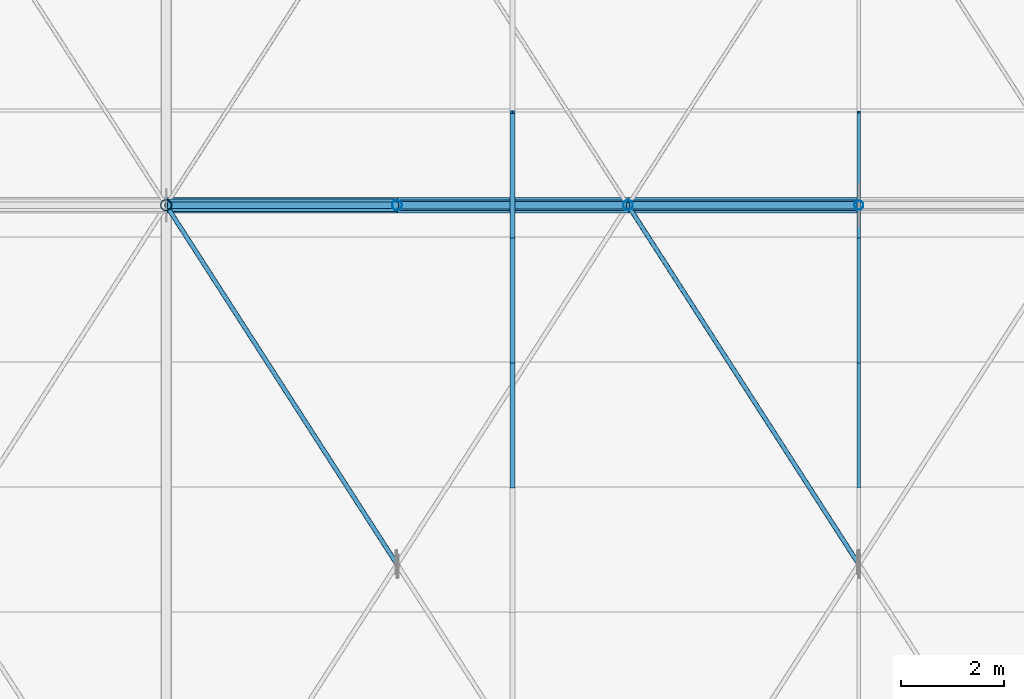
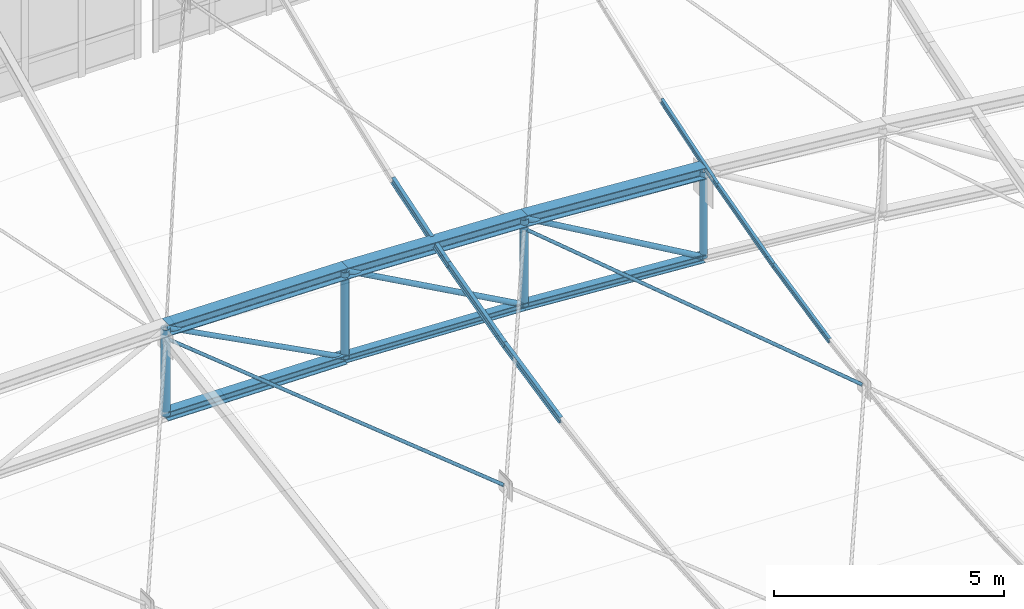
# One storey, part 182 of 262: 21 members.
"""IFC4 building model written with IfcOpenShell, lengths in metres."""

from ifc_helpers import new_model, si_unit, derived_unit, direction, frame, origin, origin_2d, place, context, subcontext, project, spatial, hollow_circle, i_section, extrude, material, material_profile, profile_set, type_object, element, save


model = new_model("IFC4")

# Units and contexts
model_context = context("Model", 3, precision=1e-05, world=origin(), true_north=direction((0.0, 1.0)))
body_context = subcontext(model_context, "Body", "Model", "MODEL_VIEW")
ifc_project = project(units=[si_unit("LENGTHUNIT", "METRE"), si_unit("AREAUNIT", "SQUARE_METRE"), si_unit("VOLUMEUNIT", "CUBIC_METRE"), si_unit("PLANEANGLEUNIT", "RADIAN"), si_unit("MASSUNIT", "GRAM", prefix="KILO"), derived_unit("THERMALTRANSMITTANCEUNIT", [(si_unit("POWERUNIT", "WATT"), 1), (si_unit("LENGTHUNIT", "METRE"), -2), (si_unit("THERMODYNAMICTEMPERATUREUNIT", "KELVIN"), -1)])], contexts=[model_context])

# Site, building, storey
site_placement = place(None, origin())
site = spatial("IfcSite", under=ifc_project, at=site_placement, CompositionType="ELEMENT")
building_placement = place(site_placement, origin())
building = spatial("IfcBuilding", under=site, at=building_placement, Name="Almenara Railside Exhibition Hall", CompositionType="ELEMENT")
storey_placement = place(building_placement, frame((0.0, 0.0, 21.699951171875)))
storey = spatial("IfcBuildingStorey", under=building, at=storey_placement, Name="RF", CompositionType="ELEMENT", Elevation=21.699951171875)

# Members
ifc_material = material(Name="Structural steel S355JR", Category="steel")
ifc_material_profile_1 = material_profile(ifc_material, i_section(OverallWidth=0.239990234375, OverallDepth=0.239990234375, WebThickness=0.010009765625, FlangeThickness=0.01708984375, FilletRadius=0.02099609375, at=origin_2d()), Name="HEB 240")
ifc_profile_set_1 = profile_set([ifc_material_profile_1], Name="Structural steel S355JR")
member_type_1 = type_object("IfcMemberType", Name="Arched Crown Bottom Chord HEB 240 S355JR", PredefinedType="CHORD", material=ifc_profile_set_1)
member_1_placement = place(storey_placement, frame((165.0, 118.0, -5.116455078125), z_axis=(0.999908030213, 0.0, -0.013562120635), x_axis=(0.0, 1.0, 0.0)))
element("IfcMember", 1, at=member_1_placement, inside=storey, type_object=member_type_1, Name="MEM-BC-V2-06-06", PredefinedType="CHORD", context=body_context, shape_type="SweptSolid", body=[
    extrude(i_section(OverallWidth=0.239990234375, OverallDepth=0.239990234375, WebThickness=0.010009765625, FlangeThickness=0.01708984375, FilletRadius=0.02099609375, at=origin_2d()), origin(), (0.0, 0.0, 1.0), 4.50048828125),
])
ifc_material_profile_2 = material_profile(ifc_material, i_section(OverallWidth=0.300048828125, OverallDepth=0.300048828125, WebThickness=0.010986328125, FlangeThickness=0.01904296875, FilletRadius=0.027099609375, at=origin_2d()), Name="HEB 300")
ifc_profile_set_2 = profile_set([ifc_material_profile_2], Name="Structural steel S355JR")
member_type_2 = type_object("IfcMemberType", Name="Arched Inner Top Chord HEB 300 S355JR", PredefinedType="CHORD", material=ifc_profile_set_2)
member_2_placement = place(storey_placement, frame((165.0, 118.0, -2.81640625), z_axis=(0.999908030213, 0.0, -0.013562120635), x_axis=(0.0, 1.0, 0.0)))
element("IfcMember", 2, at=member_2_placement, inside=storey, type_object=member_type_2, Name="MEM-TC-V2-06-06", PredefinedType="CHORD", context=body_context, shape_type="SweptSolid", body=[
    extrude(i_section(OverallWidth=0.300048828125, OverallDepth=0.300048828125, WebThickness=0.010986328125, FlangeThickness=0.01904296875, FilletRadius=0.027099609375, at=origin_2d()), origin(), (0.0, 0.0, 1.0), 4.50048828125),
])
member_3_placement = place(storey_placement, frame((169.5, 118.0, -2.87744140625), z_axis=(0.99917098071, 0.0, -0.04071057978), x_axis=(0.0, 1.0, 0.0)))
element("IfcMember", 3, at=member_3_placement, inside=storey, type_object=member_type_2, Name="MEM-TC-V2-06-07", PredefinedType="CHORD", context=body_context, shape_type="SweptSolid", body=[
    extrude(i_section(OverallWidth=0.300048828125, OverallDepth=0.300048828125, WebThickness=0.010986328125, FlangeThickness=0.01904296875, FilletRadius=0.027099609375, at=origin_2d()), origin(), (0.0, 0.0, 1.0), 4.503662109375),
])
member_4_placement = place(storey_placement, frame((174.0, 118.0, -3.060791015625), z_axis=(0.997701025897, 0.0, -0.067769188608), x_axis=(0.0, 1.0, 0.0)))
element("IfcMember", 4, at=member_4_placement, inside=storey, type_object=member_type_2, Name="MEM-TC-V2-06-08", PredefinedType="CHORD", context=body_context, shape_type="SweptSolid", body=[
    extrude(i_section(OverallWidth=0.300048828125, OverallDepth=0.300048828125, WebThickness=0.010986328125, FlangeThickness=0.01904296875, FilletRadius=0.027099609375, at=origin_2d()), origin(), (0.0, 0.0, 1.0), 4.51025390625),
])
ifc_material_profile_3 = material_profile(ifc_material, i_section(OverallWidth=0.199951171875, OverallDepth=0.199951171875, WebThickness=0.009033203125, FlangeThickness=0.014892578125, FilletRadius=0.01806640625, at=origin_2d()), Name="HEB 200")
ifc_profile_set_3 = profile_set([ifc_material_profile_3], Name="Structural steel S355JR")
member_type_3 = type_object("IfcMemberType", Name="Canopy Collar Chord HEB 200 S355JR", PredefinedType="CHORD", material=ifc_profile_set_3)
member_5_placement = place(storey_placement, frame((169.5, 118.0, -5.177490234375), z_axis=(0.99917098071, 0.0, -0.04071057978), x_axis=(0.0, 1.0, 0.0)))
element("IfcMember", 5, at=member_5_placement, inside=storey, type_object=member_type_3, Name="MEM-BC-V2-06-07", PredefinedType="CHORD", context=body_context, shape_type="SweptSolid", body=[
    extrude(i_section(OverallWidth=0.199951171875, OverallDepth=0.199951171875, WebThickness=0.009033203125, FlangeThickness=0.014892578125, FilletRadius=0.01806640625, at=origin_2d()), origin(), (0.0, 0.0, 1.0), 4.503662109375),
])
member_6_placement = place(storey_placement, frame((174.0, 118.0, -5.36083984375), z_axis=(0.997701025897, 0.0, -0.067769188608), x_axis=(0.0, 1.0, 0.0)))
element("IfcMember", 6, at=member_6_placement, inside=storey, type_object=member_type_3, Name="MEM-BC-V2-06-08", PredefinedType="CHORD", context=body_context, shape_type="SweptSolid", body=[
    extrude(i_section(OverallWidth=0.199951171875, OverallDepth=0.199951171875, WebThickness=0.009033203125, FlangeThickness=0.014892578125, FilletRadius=0.01806640625, at=origin_2d()), origin(), (0.0, 0.0, 1.0), 4.51025390625),
])
ifc_material_profile_4 = material_profile(ifc_material, i_section(OverallWidth=0.072998046875, OverallDepth=0.139892578125, WebThickness=0.004638671875, FlangeThickness=0.0068359375, FilletRadius=0.007080078125, at=origin_2d()), Name="IPE 140")
ifc_profile_set_4 = profile_set([ifc_material_profile_4], Name="Structural steel S355JR")
member_type_4 = type_object("IfcMemberType", Name="Canopy Edge Purlin IPE 140 S355JR", PredefinedType="PURLIN", material=ifc_profile_set_4)
member_7_placement = place(storey_placement, frame((178.5, 112.50634765625, -4.565185546875), z_axis=(0.0, 0.977496103583, 0.210953472309), x_axis=(-1.0, 0.0, 0.0)))
element("IfcMember", 7, at=member_7_placement, inside=storey, type_object=member_type_4, Name="MEM-PR-V2-PR-IPE140-06-20", PredefinedType="PURLIN", context=body_context, shape_type="SweptSolid", body=[
    extrude(i_section(OverallWidth=0.072998046875, OverallDepth=0.139892578125, WebThickness=0.004638671875, FlangeThickness=0.0068359375, FilletRadius=0.007080078125, at=origin_2d()), origin(), (0.0, 0.0, 1.0), 2.492919921875),
])
member_8_placement = place(storey_placement, frame((178.5, 114.943115234375, -4.04248046875), z_axis=(0.0, 0.966201190487, 0.257789176462), x_axis=(-1.0, 0.0, 0.0)))
element("IfcMember", 8, at=member_8_placement, inside=storey, type_object=member_type_4, Name="MEM-PR-V2-PR-IPE140-06-21", PredefinedType="PURLIN", context=body_context, shape_type="SweptSolid", body=[
    extrude(i_section(OverallWidth=0.072998046875, OverallDepth=0.139892578125, WebThickness=0.004638671875, FlangeThickness=0.0068359375, FilletRadius=0.007080078125, at=origin_2d()), origin(), (0.0, 0.0, 1.0), 2.52197265625),
])
member_9_placement = place(storey_placement, frame((178.5, 117.3798828125, -3.396240234375), z_axis=(0.0, 0.952468462339, 0.304637207594), x_axis=(-1.0, 0.0, 0.0)))
element("IfcMember", 9, at=member_9_placement, inside=storey, type_object=member_type_4, Name="MEM-PR-V2-PR-IPE140-06-22", PredefinedType="PURLIN", context=body_context, shape_type="SweptSolid", body=[
    extrude(i_section(OverallWidth=0.072998046875, OverallDepth=0.139892578125, WebThickness=0.004638671875, FlangeThickness=0.0068359375, FilletRadius=0.007080078125, at=origin_2d()), origin(), (0.0, 0.0, 1.0), 2.55810546875),
])
ifc_material_profile_5 = material_profile(ifc_material, hollow_circle(Radius=0.04443359375, WallThickness=0.00390625, at=origin_2d()), Name="CHS 88.9x4")
ifc_profile_set_5 = profile_set([ifc_material_profile_5], Name="Structural steel S355JR")
member_type_5 = type_object("IfcMemberType", Name="Canopy Tie Brace CHS 88.9x4 S355JR", PredefinedType="BRACE", material=ifc_profile_set_5)
member_10_placement = place(storey_placement, frame((169.47412109375, 111.040283203125, -4.345947265625), z_axis=(-0.534695986995, 0.831746071225, 0.149327407041), x_axis=(-0.84117751664, -0.540759082679, 0.0)))
element("IfcMember", 10, at=member_10_placement, inside=storey, type_object=member_type_5, Name="MEM-WB-V2-WB-CHS89-05-06-S2", PredefinedType="BRACE", context=body_context, shape_type="SweptSolid", body=[
    extrude(hollow_circle(Radius=0.04443359375, WallThickness=0.00390625, at=origin_2d()), origin(), (0.0, 0.0, 1.0), 8.36767578125),
])
member_11_placement = place(storey_placement, frame((178.47412109375, 111.0400390625, -4.833251953125), z_axis=(-0.532157901473, 0.827826991989, 0.177511800268), x_axis=(-0.841186144987, -0.540745660623, 0.0)))
element("IfcMember", 11, at=member_11_placement, inside=storey, type_object=member_type_5, Name="MEM-WB-V2-WB-CHS89-05-08-S2", PredefinedType="BRACE", context=body_context, shape_type="SweptSolid", body=[
    extrude(hollow_circle(Radius=0.04443359375, WallThickness=0.00390625, at=origin_2d()), origin(), (0.0, 0.0, 1.0), 8.407470703125),
])
ifc_material_profile_6 = material_profile(ifc_material, i_section(OverallWidth=0.091064453125, OverallDepth=0.179931640625, WebThickness=0.00537109375, FlangeThickness=0.008056640625, FilletRadius=0.009033203125, at=origin_2d()), Name="IPE 180")
ifc_profile_set_6 = profile_set([ifc_material_profile_6], Name="Structural steel S355JR")
member_type_6 = type_object("IfcMemberType", Name="Plenary Roof Purlin IPE 180 S355JR", PredefinedType="PURLIN", material=ifc_profile_set_6)
member_12_placement = place(storey_placement, frame((171.75, 112.50634765625, -4.309326171875), z_axis=(0.0, 0.977496103583, 0.210953472309), x_axis=(-1.0, 0.0, 0.0)))
element("IfcMember", 12, at=member_12_placement, inside=storey, type_object=member_type_6, Name="MEM-PR-V2-PR-IPE180-05-20", PredefinedType="PURLIN", context=body_context, shape_type="SweptSolid", body=[
    extrude(i_section(OverallWidth=0.091064453125, OverallDepth=0.179931640625, WebThickness=0.00537109375, FlangeThickness=0.008056640625, FilletRadius=0.009033203125, at=origin_2d()), origin(), (0.0, 0.0, 1.0), 2.492919921875),
])
member_13_placement = place(storey_placement, frame((171.75, 114.943115234375, -3.786865234375), z_axis=(0.0, 0.966201190487, 0.257789176462), x_axis=(-1.0, 0.0, 0.0)))
element("IfcMember", 13, at=member_13_placement, inside=storey, type_object=member_type_6, Name="MEM-PR-V2-PR-IPE180-05-21", PredefinedType="PURLIN", context=body_context, shape_type="SweptSolid", body=[
    extrude(i_section(OverallWidth=0.091064453125, OverallDepth=0.179931640625, WebThickness=0.00537109375, FlangeThickness=0.008056640625, FilletRadius=0.009033203125, at=origin_2d()), origin(), (0.0, 0.0, 1.0), 2.52197265625),
])
member_14_placement = place(storey_placement, frame((171.75, 117.3798828125, -3.14111328125), z_axis=(0.0, 0.952440767254, 0.304723784553), x_axis=(-1.0, 0.0, 0.0)))
element("IfcMember", 14, at=member_14_placement, inside=storey, type_object=member_type_6, Name="MEM-PR-V2-PR-IPE180-05-22", PredefinedType="PURLIN", context=body_context, shape_type="SweptSolid", body=[
    extrude(i_section(OverallWidth=0.091064453125, OverallDepth=0.179931640625, WebThickness=0.00537109375, FlangeThickness=0.008056640625, FilletRadius=0.009033203125, at=origin_2d()), origin(), (0.0, 0.0, 1.0), 2.55810546875),
])
ifc_material_profile_7 = material_profile(ifc_material, hollow_circle(Radius=0.0634765625, WallThickness=0.00439453125, at=origin_2d()), Name="CHS 127.0x4.5")
ifc_profile_set_7 = profile_set([ifc_material_profile_7], Name="Structural steel S355JR")
member_type_7 = type_object("IfcMemberType", Name="Truss Crown Diagonal CHS 127.0x4.5 S355JR", PredefinedType="BRACE", material=ifc_profile_set_7)
member_15_placement = place(storey_placement, frame((165.0, 118.0, -2.81640625), z_axis=(0.885512555589, 0.0, -0.464615447326), x_axis=(0.0, 1.0, 0.0)))
element("IfcMember", 15, at=member_15_placement, inside=storey, type_object=member_type_7, Name="MEM-TD-V2-06-06", PredefinedType="BRACE", context=body_context, shape_type="SweptSolid", body=[
    extrude(hollow_circle(Radius=0.0634765625, WallThickness=0.00439453125, at=origin_2d()), origin(), (0.0, 0.0, 1.0), 5.081787109375),
])
ifc_material_profile_8 = material_profile(ifc_material, hollow_circle(Radius=0.06982421875, WallThickness=0.0048828125, at=origin_2d()), Name="CHS 139.7x5")
ifc_profile_set_8 = profile_set([ifc_material_profile_8], Name="Structural steel S355JR")
member_type_8 = type_object("IfcMemberType", Name="Truss Inner Diagonal CHS 139.7x5 S355JR", PredefinedType="BRACE", material=ifc_profile_set_8)
member_16_placement = place(storey_placement, frame((169.5, 118.0, -2.87744140625), z_axis=(0.875525025835, 0.0, -0.483172773589), x_axis=(0.0, 1.0, 0.0)))
element("IfcMember", 16, at=member_16_placement, inside=storey, type_object=member_type_8, Name="MEM-TD-V2-06-07", PredefinedType="BRACE", context=body_context, shape_type="SweptSolid", body=[
    extrude(hollow_circle(Radius=0.06982421875, WallThickness=0.0048828125, at=origin_2d()), origin(), (0.0, 0.0, 1.0), 5.139892578125),
])
member_17_placement = place(storey_placement, frame((174.0, 118.0, -3.060791015625), z_axis=(0.865388781224, 0.0, -0.501101045031), x_axis=(0.0, 1.0, 0.0)))
element("IfcMember", 17, at=member_17_placement, inside=storey, type_object=member_type_8, Name="MEM-TD-V2-06-08", PredefinedType="BRACE", context=body_context, shape_type="SweptSolid", body=[
    extrude(hollow_circle(Radius=0.06982421875, WallThickness=0.0048828125, at=origin_2d()), origin(), (0.0, 0.0, 1.0), 5.199951171875),
])
ifc_material_profile_9 = material_profile(ifc_material, hollow_circle(Radius=0.109619140625, WallThickness=0.008056640625, at=origin_2d()), Name="CHS 219.1x8")
ifc_profile_set_9 = profile_set([ifc_material_profile_9], Name="Structural steel S355JR")
member_type_9 = type_object("IfcMemberType", Name="Truss Primary Vertical Strut CHS 219.1x8 S355JR", PredefinedType="BRACE", material=ifc_profile_set_9)
member_18_placement = place(storey_placement, frame((165.0, 118.0, -5.116455078125), z_axis=(0.0, 0.0, 1.0), x_axis=(1.0, 0.0, 0.0)))
element("IfcMember", 18, at=member_18_placement, inside=storey, type_object=member_type_9, Name="MEM-TV-V2-06-06", PredefinedType="BRACE", context=body_context, shape_type="SweptSolid", body=[
    extrude(hollow_circle(Radius=0.109619140625, WallThickness=0.008056640625, at=origin_2d()), origin(), (0.0, 0.0, 1.0), 2.300048828125),
])
ifc_material_profile_10 = material_profile(ifc_material, hollow_circle(Radius=0.0888671875, WallThickness=0.006103515625, at=origin_2d()), Name="CHS 177.8x6")
ifc_profile_set_10 = profile_set([ifc_material_profile_10], Name="Structural steel S355JR")
member_type_10 = type_object("IfcMemberType", Name="Truss Quarter Vertical Strut CHS 177.8x6 S355JR", PredefinedType="BRACE", material=ifc_profile_set_10)
member_19_placement = place(storey_placement, frame((178.5, 118.0, -5.66650390625), z_axis=(0.0, 0.0, 1.0), x_axis=(1.0, 0.0, 0.0)))
element("IfcMember", 19, at=member_19_placement, inside=storey, type_object=member_type_10, Name="MEM-TV-V2-06-09", PredefinedType="BRACE", context=body_context, shape_type="SweptSolid", body=[
    extrude(hollow_circle(Radius=0.0888671875, WallThickness=0.006103515625, at=origin_2d()), origin(), (0.0, 0.0, 1.0), 2.300048828125),
])
ifc_material_profile_11 = material_profile(ifc_material, hollow_circle(Radius=0.096923828125, WallThickness=0.00634765625, at=origin_2d()), Name="CHS 193.7x6.3")
ifc_profile_set_11 = profile_set([ifc_material_profile_11], Name="Structural steel S355JR")
member_type_11 = type_object("IfcMemberType", Name="Truss Standard Vertical Strut CHS 193.7x6.3 S355JR", PredefinedType="BRACE", material=ifc_profile_set_11)
for number, where, z_axis, x_axis, name in (
    (20, (169.5, 118.0, -5.177490234375), (0.0, 0.0, 1.0), (1.0, 0.0, 0.0), "MEM-TV-V2-06-07"),
    (21, (174.0, 118.0, -5.36083984375), (0.0, 0.0, 1.0), (1.0, 0.0, 0.0), "MEM-TV-V2-06-08"),
):
    element("IfcMember", number, at=place(storey_placement, frame(where, z_axis=z_axis, x_axis=x_axis)), inside=storey, type_object=member_type_11, Name=name, PredefinedType="BRACE", context=body_context, shape_type="SweptSolid", body=[
        extrude(hollow_circle(Radius=0.096923828125, WallThickness=0.00634765625, at=origin_2d()), origin(), (0.0, 0.0, 1.0), 2.300048828125),
    ])

save(model, "model.ifc")
